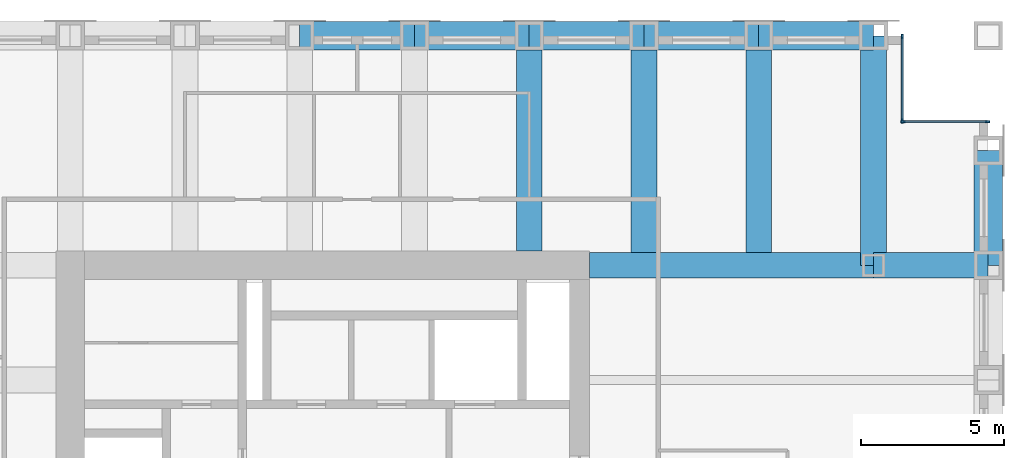
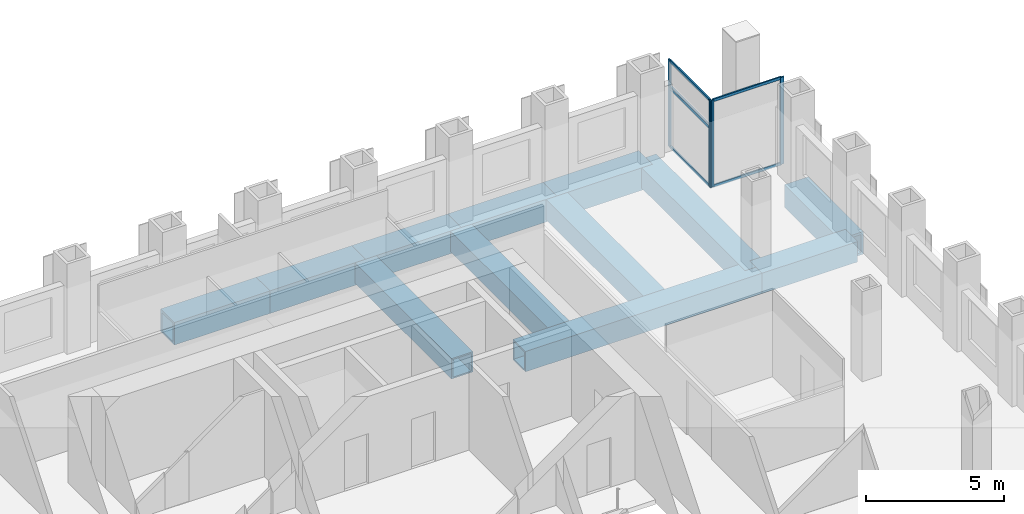
# One storey, part 6 of 12: 12 beams, 12 members, 3 elements without a shape of their own.
"""IFC4 building model written with IfcOpenShell, lengths in metres."""

from ifc_helpers import new_model, si_unit, direction, frame, origin, origin_2d, place, context, subcontext, project, spatial, rectangle, hollow_rectangle, extrude, material, material_profile, profile_set, type_object, element, aggregate, save


model = new_model("IFC4")

# Units and contexts
model_context = context("Model", 3, precision=1e-05, world=origin(), true_north=direction((0.0, 1.0)))
body_context = subcontext(model_context, "Body", "Model", "MODEL_VIEW")
ifc_project = project(units=[si_unit("LENGTHUNIT", "METRE"), si_unit("AREAUNIT", "SQUARE_METRE"), si_unit("VOLUMEUNIT", "CUBIC_METRE"), si_unit("PLANEANGLEUNIT", "RADIAN"), si_unit("MASSUNIT", "GRAM", prefix="KILO")], contexts=[model_context])

# Site, building, storey
site_placement = place(None, origin())
site = spatial("IfcSite", under=ifc_project, at=site_placement, CompositionType="ELEMENT")
building_placement = place(site_placement, origin())
building = spatial("IfcBuilding", under=site, at=building_placement, Name="Rimbunsela Tower", CompositionType="ELEMENT")
storey_placement = place(building_placement, frame((0.0, 0.0, 266.199951171875)))
storey = spatial("IfcBuildingStorey", under=building, at=storey_placement, Name="L64", CompositionType="ELEMENT", Elevation=266.199951171875)

# Beams
ifc_material_1 = material(Name="Steel BJ 55 (fy 410 MPa)", Category="steel")
ifc_material_profile_1 = material_profile(ifc_material_1, hollow_rectangle(XDim=1.0, YDim=1.0, WallThickness=0.10009765625, at=origin_2d()), Name="BOX 1000x1000x100")
ifc_profile_set_1 = profile_set([ifc_material_profile_1], Name="Steel BJ 55 (fy 410 MPa)")
beam_type_1 = type_object("IfcBeamType", Name="Beam BOX 1000x1000x100", PredefinedType="BEAM", material=ifc_profile_set_1)
for number, where, z_axis, x_axis, name in (
    (1, (26.0, 44.0, -0.64990234375), (1.0, 0.0, 0.0), (0.0, 1.0, 0.0), "Beam B3 L64"),
    (2, (30.0, 44.0, -0.64990234375), (1.0, 0.0, 0.0), (0.0, 1.0, 0.0), "Beam B3 L64"),
    (3, (34.0, 44.0, -0.64990234375), (1.0, 0.0, 0.0), (0.0, 1.0, 0.0), "Beam B3 L64"),
    (4, (38.0, 44.0, -0.64990234375), (1.0, 0.0, 0.0), (0.0, 1.0, 0.0), "Beam B3 L64"),
    (5, (42.0, 44.0, -0.64990234375), (1.0, 0.0, 0.0), (0.0, 1.0, 0.0), "Beam B3 L64"),
    (6, (50.0, 36.0, -0.64990234375), (0.0, 1.0, 0.0), (-1.0, 0.0, 0.0), "Beam B3 L64"),
):
    element("IfcBeam", number, at=place(storey_placement, frame(where, z_axis=z_axis, x_axis=x_axis)), inside=storey, type_object=beam_type_1, Name=name, PredefinedType="BEAM", context=body_context, shape_type="SweptSolid", body=[
        extrude(hollow_rectangle(XDim=1.0, YDim=1.0, WallThickness=0.10009765625, at=origin_2d()), origin(), (0.0, 0.0, 1.0), 4.0),
    ])
ifc_material_2 = material(Name="Steel BJ 55 (fy 410 MPa)", Category="steel")
ifc_material_profile_2 = material_profile(ifc_material_2, hollow_rectangle(XDim=0.89990234375, YDim=0.89990234375, WallThickness=0.06005859375, at=origin_2d()), Name="BOX 900x900x60")
ifc_profile_set_2 = profile_set([ifc_material_profile_2], Name="Steel BJ 55 (fy 410 MPa)")
beam_type_2 = type_object("IfcBeamType", Name="Beam BOX 900x900x60", PredefinedType="BEAM", material=ifc_profile_set_2)
beam_1_placement = place(storey_placement, frame((34.0, 36.5, -0.599853515625), z_axis=(0.0, 1.0, 0.0), x_axis=(-1.0, 0.0, 0.0)))
element("IfcBeam", 7, at=beam_1_placement, inside=storey, type_object=beam_type_2, Name="Beam B1 L64", PredefinedType="BEAM", context=body_context, shape_type="SweptSolid", body=[
    extrude(hollow_rectangle(XDim=0.89990234375, YDim=0.89990234375, WallThickness=0.06005859375, at=origin_2d()), origin(), (0.0, 0.0, 1.0), 7.5),
])
beam_2_placement = place(storey_placement, frame((36.10009765625, 36.0, -0.599853515625), z_axis=(1.0, 0.0, 0.0), x_axis=(0.0, 1.0, 0.0)))
element("IfcBeam", 8, at=beam_2_placement, inside=storey, type_object=beam_type_2, Name="Beam B1 L64", PredefinedType="BEAM", context=body_context, shape_type="SweptSolid", body=[
    extrude(hollow_rectangle(XDim=0.89990234375, YDim=0.89990234375, WallThickness=0.06005859375, at=origin_2d()), origin(), (0.0, 0.0, 1.0), 9.89990234375),
])
for number, where, z_axis, x_axis, name in (
    (9, (38.0, 36.449951171875, -0.599853515625), (0.0, 1.0, 0.0), (-1.0, 0.0, 0.0), "Beam B1 L64"),
    (10, (42.0, 36.449951171875, -0.599853515625), (0.0, 1.0, 0.0), (-1.0, 0.0, 0.0), "Beam B1 L64"),
):
    element("IfcBeam", number, at=place(storey_placement, frame(where, z_axis=z_axis, x_axis=x_axis)), inside=storey, type_object=beam_type_2, Name=name, PredefinedType="BEAM", context=body_context, shape_type="SweptSolid", body=[
        extrude(hollow_rectangle(XDim=0.89990234375, YDim=0.89990234375, WallThickness=0.06005859375, at=origin_2d()), origin(), (0.0, 0.0, 1.0), 7.550048828125),
    ])
beam_3_placement = place(storey_placement, frame((46.0, 36.0, -0.599853515625), z_axis=(0.0, 1.0, 0.0), x_axis=(-1.0, 0.0, 0.0)))
element("IfcBeam", 11, at=beam_3_placement, inside=storey, type_object=beam_type_2, Name="Beam B1 L64", PredefinedType="BEAM", context=body_context, shape_type="SweptSolid", body=[
    extrude(hollow_rectangle(XDim=0.89990234375, YDim=0.89990234375, WallThickness=0.06005859375, at=origin_2d()), origin(), (0.0, 0.0, 1.0), 8.0),
])
beam_4_placement = place(storey_placement, frame((46.0, 36.0, -0.599853515625), z_axis=(1.0, 0.0, 0.0), x_axis=(0.0, 1.0, 0.0)))
element("IfcBeam", 12, at=beam_4_placement, inside=storey, type_object=beam_type_2, Name="Beam B1 L64", PredefinedType="BEAM", context=body_context, shape_type="SweptSolid", body=[
    extrude(hollow_rectangle(XDim=0.89990234375, YDim=0.89990234375, WallThickness=0.06005859375, at=origin_2d()), origin(), (0.0, 0.0, 1.0), 4.0),
])

# Curtain wall, members
ifc_material_3 = material(Name="Aluminium curtain wall", Category="aluminium")
curtain_wall_type_1 = type_object("IfcCurtainWallType", Name="Corner glazing", PredefinedType="USERDEFINED", material=ifc_material_3)
curtain_wall_1_placement = place(storey_placement, origin())
curtain_wall_1 = element("IfcCurtainWall", 13, at=curtain_wall_1_placement, inside=storey, type_object=curtain_wall_type_1, Name="Corner glazing L64", ObjectType="CORNER GLAZING", PredefinedType="USERDEFINED")
ifc_material_4 = material(Name="Aluminium mullion", Category="aluminium")
ifc_material_profile_3 = material_profile(ifc_material_4, rectangle(XDim=0.06005859375, YDim=0.159912109375, at=origin_2d()), Name="Mullion 60x160")
ifc_profile_set_3 = profile_set([ifc_material_profile_3], Name="Aluminium mullion")
member_type_1 = type_object("IfcMemberType", Name="Curtain wall mullion 60x160", PredefinedType="MULLION", material=ifc_profile_set_3)
member_1_placement = place(storey_placement, frame((49.969970703125, 41.0, 0.0), z_axis=(0.0, 0.0, 1.0), x_axis=(0.0, -1.0, 0.0)))
member_1 = element("IfcMember", 14, at=member_1_placement, type_object=member_type_1, Name="CW5 mullion 1", PredefinedType="MULLION", context=body_context, shape_type="SweptSolid", body=[
    extrude(rectangle(XDim=0.06005859375, YDim=0.159912109375, at=origin_2d()), origin(), (0.0, 0.0, 1.0), 3.85009765625),
])
member_2_placement = place(storey_placement, frame((47.030029296875, 41.0, 0.0), z_axis=(0.0, 0.0, 1.0), x_axis=(0.0, -1.0, 0.0)))
member_2 = element("IfcMember", 15, at=member_2_placement, type_object=member_type_1, Name="CW5 mullion 2", PredefinedType="MULLION", context=body_context, shape_type="SweptSolid", body=[
    extrude(rectangle(XDim=0.06005859375, YDim=0.159912109375, at=origin_2d()), origin(), (0.0, 0.0, 1.0), 3.85009765625),
])

curtain_wall_2_placement = place(storey_placement, origin())
curtain_wall_2 = element("IfcCurtainWall", 16, at=curtain_wall_2_placement, inside=storey, type_object=curtain_wall_type_1, Name="Corner glazing L64", ObjectType="CORNER GLAZING", PredefinedType="USERDEFINED")
member_3_placement = place(storey_placement, frame((47.0, 41.030029296875, 0.0), z_axis=(0.0, 0.0, 1.0), x_axis=(-1.0, 0.0, 0.0)))
member_3 = element("IfcMember", 17, at=member_3_placement, type_object=member_type_1, Name="CW5 mullion 1", PredefinedType="MULLION", context=body_context, shape_type="SweptSolid", body=[
    extrude(rectangle(XDim=0.06005859375, YDim=0.159912109375, at=origin_2d()), origin(), (0.0, 0.0, 1.0), 2.650146484375),
])
member_4_placement = place(storey_placement, frame((47.0, 43.969970703125, 0.0), z_axis=(0.0, 0.0, 1.0), x_axis=(-1.0, 0.0, 0.0)))
member_4 = element("IfcMember", 18, at=member_4_placement, type_object=member_type_1, Name="CW5 mullion 2", PredefinedType="MULLION", context=body_context, shape_type="SweptSolid", body=[
    extrude(rectangle(XDim=0.06005859375, YDim=0.159912109375, at=origin_2d()), origin(), (0.0, 0.0, 1.0), 2.650146484375),
])

ifc_material_5 = material(Name="Aluminium curtain wall", Category="aluminium")
curtain_wall_type_2 = type_object("IfcCurtainWallType", Name="Spandrel wall", PredefinedType="USERDEFINED", material=ifc_material_5)
curtain_wall_3_placement = place(storey_placement, origin())
curtain_wall_3 = element("IfcCurtainWall", 19, at=curtain_wall_3_placement, inside=storey, type_object=curtain_wall_type_2, Name="Spandrel wall L64", ObjectType="SPANDREL WALL", PredefinedType="USERDEFINED")
member_5_placement = place(storey_placement, frame((47.0, 41.030029296875, 2.650146484375), z_axis=(0.0, 0.0, 1.0), x_axis=(-1.0, 0.0, 0.0)))
member_5 = element("IfcMember", 20, at=member_5_placement, type_object=member_type_1, Name="CW7 mullion 1", PredefinedType="MULLION", context=body_context, shape_type="SweptSolid", body=[
    extrude(rectangle(XDim=0.06005859375, YDim=0.159912109375, at=origin_2d()), origin(), (0.0, 0.0, 1.0), 1.199951171875),
])
member_6_placement = place(storey_placement, frame((47.0, 43.969970703125, 2.650146484375), z_axis=(0.0, 0.0, 1.0), x_axis=(-1.0, 0.0, 0.0)))
member_6 = element("IfcMember", 21, at=member_6_placement, type_object=member_type_1, Name="CW7 mullion 2", PredefinedType="MULLION", context=body_context, shape_type="SweptSolid", body=[
    extrude(rectangle(XDim=0.06005859375, YDim=0.159912109375, at=origin_2d()), origin(), (0.0, 0.0, 1.0), 1.199951171875),
])

# Member
ifc_material_6 = material(Name="Aluminium transom", Category="aluminium")
ifc_material_profile_4 = material_profile(ifc_material_6, rectangle(XDim=0.06005859375, YDim=0.1201171875, at=origin_2d()), Name="Transom 60x120")
ifc_profile_set_4 = profile_set([ifc_material_profile_4], Name="Aluminium transom")
member_type_2 = type_object("IfcMemberType", Name="Curtain wall transom 60x120", PredefinedType="USERDEFINED", material=ifc_profile_set_4)
member_7_placement = place(storey_placement, frame((49.93994140625, 41.0, 0.030029296875), z_axis=(-1.0, 0.0, 0.0), x_axis=(0.0, -1.0, 0.0)))
member_7 = element("IfcMember", 22, at=member_7_placement, type_object=member_type_2, Name="CW5 transom 1.1", ObjectType="TRANSOM", PredefinedType="USERDEFINED", context=body_context, shape_type="SweptSolid", body=[
    extrude(rectangle(XDim=0.06005859375, YDim=0.1201171875, at=origin_2d()), origin(), (0.0, 0.0, 1.0), 2.8798828125),
])

member_8_placement = place(storey_placement, frame((49.93994140625, 41.0, 3.820068359375), z_axis=(-1.0, 0.0, 0.0), x_axis=(0.0, -1.0, 0.0)))
member_8 = element("IfcMember", 23, at=member_8_placement, type_object=member_type_2, Name="CW5 transom 1.2", ObjectType="TRANSOM", PredefinedType="USERDEFINED", context=body_context, shape_type="SweptSolid", body=[
    extrude(rectangle(XDim=0.06005859375, YDim=0.1201171875, at=origin_2d()), origin(), (0.0, 0.0, 1.0), 2.8798828125),
])

aggregate(curtain_wall_1, [member_1, member_2, member_7, member_8])

member_9_placement = place(storey_placement, frame((47.0, 41.06005859375, 0.030029296875), z_axis=(0.0, 1.0, 0.0), x_axis=(-1.0, 0.0, 0.0)))
member_9 = element("IfcMember", 24, at=member_9_placement, type_object=member_type_2, Name="CW5 transom 1.1", ObjectType="TRANSOM", PredefinedType="USERDEFINED", context=body_context, shape_type="SweptSolid", body=[
    extrude(rectangle(XDim=0.06005859375, YDim=0.1201171875, at=origin_2d()), origin(), (0.0, 0.0, 1.0), 2.8798828125),
])

member_10_placement = place(storey_placement, frame((47.0, 41.06005859375, 2.6201171875), z_axis=(0.0, 1.0, 0.0), x_axis=(-1.0, 0.0, 0.0)))
member_10 = element("IfcMember", 25, at=member_10_placement, type_object=member_type_2, Name="CW5 transom 1.2", ObjectType="TRANSOM", PredefinedType="USERDEFINED", context=body_context, shape_type="SweptSolid", body=[
    extrude(rectangle(XDim=0.06005859375, YDim=0.1201171875, at=origin_2d()), origin(), (0.0, 0.0, 1.0), 2.8798828125),
])

aggregate(curtain_wall_2, [member_3, member_4, member_9, member_10])

member_11_placement = place(storey_placement, frame((47.0, 41.06005859375, 2.679931640625), z_axis=(0.0, 1.0, 0.0), x_axis=(-1.0, 0.0, 0.0)))
member_11 = element("IfcMember", 26, at=member_11_placement, type_object=member_type_2, Name="CW7 transom 1.1", ObjectType="TRANSOM", PredefinedType="USERDEFINED", context=body_context, shape_type="SweptSolid", body=[
    extrude(rectangle(XDim=0.06005859375, YDim=0.1201171875, at=origin_2d()), origin(), (0.0, 0.0, 1.0), 2.8798828125),
])

member_12_placement = place(storey_placement, frame((47.0, 41.06005859375, 3.820068359375), z_axis=(0.0, 1.0, 0.0), x_axis=(-1.0, 0.0, 0.0)))
member_12 = element("IfcMember", 27, at=member_12_placement, type_object=member_type_2, Name="CW7 transom 1.2", ObjectType="TRANSOM", PredefinedType="USERDEFINED", context=body_context, shape_type="SweptSolid", body=[
    extrude(rectangle(XDim=0.06005859375, YDim=0.1201171875, at=origin_2d()), origin(), (0.0, 0.0, 1.0), 2.8798828125),
])

aggregate(curtain_wall_3, [member_5, member_6, member_11, member_12])

save(model, "model.ifc")
